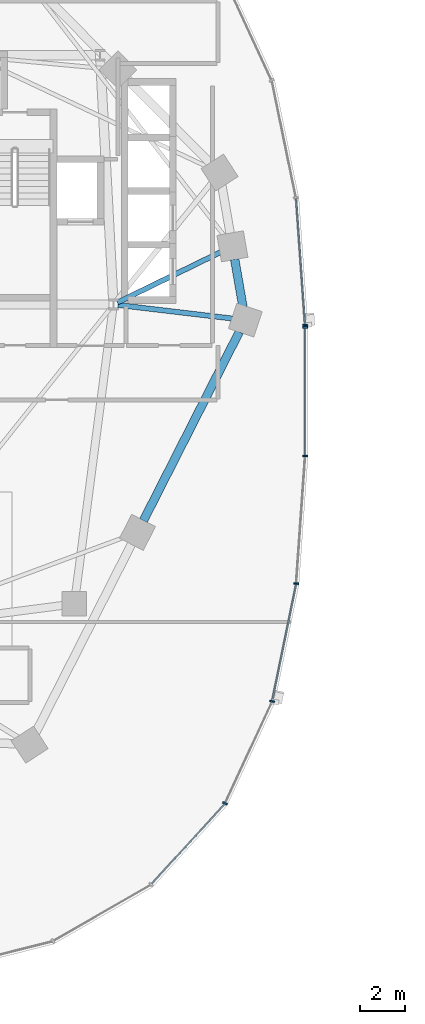
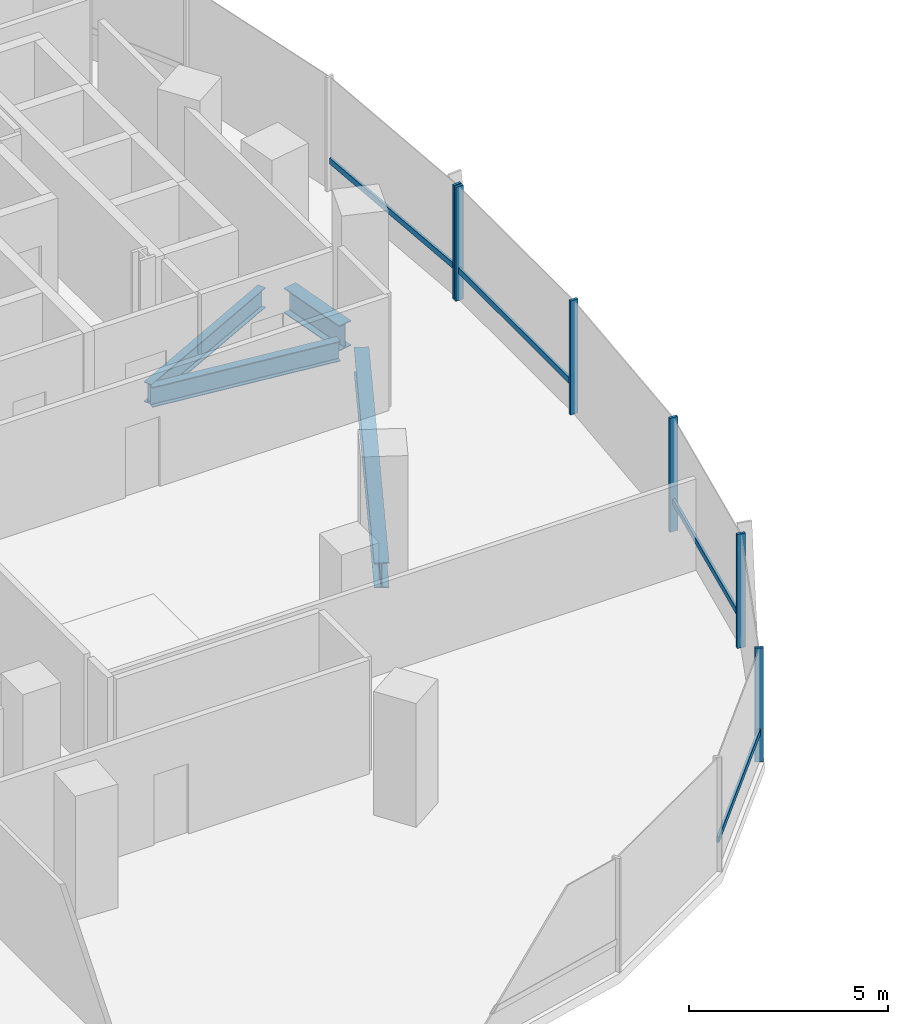
# One storey, part 3 of 21: 10 members, 4 beams, 2 elements without a shape of their own.
"""IFC4 building model written with IfcOpenShell, lengths in metres."""

from ifc_helpers import new_model, si_unit, direction, frame, origin, origin_2d, place, context, subcontext, project, spatial, rectangle, i_section, extrude, material, material_profile, profile_set, type_object, element, aggregate, save


model = new_model("IFC4")

# Units and contexts
model_context = context("Model", 3, precision=1e-05, world=origin(), true_north=direction((0.0, 1.0)))
body_context = subcontext(model_context, "Body", "Model", "MODEL_VIEW")
ifc_project = project(units=[si_unit("LENGTHUNIT", "METRE"), si_unit("AREAUNIT", "SQUARE_METRE"), si_unit("VOLUMEUNIT", "CUBIC_METRE"), si_unit("PLANEANGLEUNIT", "RADIAN"), si_unit("MASSUNIT", "GRAM", prefix="KILO"), si_unit("THERMODYNAMICTEMPERATUREUNIT", "KELVIN"), si_unit("POWERUNIT", "WATT")], contexts=[model_context])

# Site, building, storey
site_placement = place(None, origin())
site = spatial("IfcSite", under=ifc_project, at=site_placement, CompositionType="ELEMENT")
building_placement = place(site_placement, origin())
building = spatial("IfcBuilding", under=site, at=building_placement, Name="Cundina Bronze Exchange", CompositionType="ELEMENT")
storey_placement = place(building_placement, frame((0.0, 0.0, 46.800048828125)))
storey = spatial("IfcBuildingStorey", under=building, at=storey_placement, Name="L11", CompositionType="ELEMENT", Elevation=46.800048828125)

# Beams
ifc_material_1 = material(Name="Steel ASTM A992 Grade 50", Category="steel")
ifc_material_profile_1 = material_profile(ifc_material_1, i_section(OverallWidth=0.22998046875, OverallDepth=0.616943359375, WebThickness=0.01318359375, FlangeThickness=0.022216796875, FilletRadius=0.013916015625, at=origin_2d()), Name="W24X94", Category="steel")
ifc_profile_set_1 = profile_set([ifc_material_profile_1], Name="Steel ASTM A992 Grade 50")
beam_type_1 = type_object("IfcBeamType", Name="BM-FLR-W24B", PredefinedType="BEAM", material=ifc_profile_set_1)
beam_1_placement = place(storey_placement, frame((-21.247314453125, 3.8759765625, -0.608642578125), z_axis=(0.993035236117, -0.117817739878, 0.0), x_axis=(0.117817739878, 0.993035236117, 0.0)))
element("IfcBeam", 1, at=beam_1_placement, inside=storey, type_object=beam_type_1, Name="L11 Leg W Radial Floor Beam 00", PredefinedType="BEAM", context=body_context, shape_type="SweptSolid", body=[
    extrude(i_section(OverallWidth=0.22998046875, OverallDepth=0.616943359375, WebThickness=0.01318359375, FlangeThickness=0.022216796875, FilletRadius=0.013916015625, at=origin_2d()), origin(), (0.0, 0.0, 1.0), 5.1494140625),
])
beam_2_placement = place(storey_placement, frame((-21.2666015625, 3.989501953125, -0.608642578125), z_axis=(0.898610249448, 0.438747785849, 0.0), x_axis=(-0.438747785849, 0.898610249448, 0.0)))
element("IfcBeam", 2, at=beam_2_placement, inside=storey, type_object=beam_type_1, Name="L11 Leg W Radial Floor Beam 01", PredefinedType="BEAM", context=body_context, shape_type="SweptSolid", body=[
    extrude(i_section(OverallWidth=0.22998046875, OverallDepth=0.616943359375, WebThickness=0.01318359375, FlangeThickness=0.022216796875, FilletRadius=0.013916015625, at=origin_2d()), origin(), (0.0, 0.0, 1.0), 5.1337890625),
])
ifc_material_profile_2 = material_profile(ifc_material_1, i_section(OverallWidth=0.381103515625, OverallDepth=0.77294921875, WebThickness=0.0166015625, FlangeThickness=0.027099609375, FilletRadius=0.01904296875, at=origin_2d()), Name="W30X173", Category="steel")
ifc_profile_set_2 = profile_set([ifc_material_profile_2], Name="Steel ASTM A992 Grade 50")
beam_type_2 = type_object("IfcBeamType", Name="BM-RING-W30", PredefinedType="USERDEFINED", material=ifc_profile_set_2)
beam_3_placement = place(storey_placement, frame((-15.65087890625, 3.779296875, -0.6865234375), z_axis=(-0.171734584051, 0.985143254883, 0.0), x_axis=(-0.985143254883, -0.171734584051, 0.0)))
element("IfcBeam", 3, at=beam_3_placement, inside=storey, type_object=beam_type_2, Name="L11 W Perimeter Ring Girder 00", ObjectType="GIRDER", PredefinedType="USERDEFINED", context=body_context, shape_type="SweptSolid", body=[
    extrude(i_section(OverallWidth=0.381103515625, OverallDepth=0.77294921875, WebThickness=0.0166015625, FlangeThickness=0.027099609375, FilletRadius=0.01904296875, at=origin_2d()), origin(), (0.0, 0.0, 1.0), 2.173583984375),
])
beam_4_placement = place(storey_placement, frame((-20.108642578125, -5.775634765625, -0.6865234375), z_axis=(0.452819633606, 0.891602141889, 0.0), x_axis=(-0.891602141889, 0.452819633606, 0.0)))
element("IfcBeam", 4, at=beam_4_placement, inside=storey, type_object=beam_type_2, Name="L11 W Perimeter Ring Girder 13", ObjectType="GIRDER", PredefinedType="USERDEFINED", context=body_context, shape_type="SweptSolid", body=[
    extrude(i_section(OverallWidth=0.381103515625, OverallDepth=0.77294921875, WebThickness=0.0166015625, FlangeThickness=0.027099609375, FilletRadius=0.01904296875, at=origin_2d()), origin(), (0.0, 0.0, 1.0), 9.47900390625),
])

# Curtain wall, member
ifc_material_2 = material(Name="Anodised Bronze Aluminium 6063-T6", Category="aluminium")
curtain_wall_type = type_object("IfcCurtainWallType", Name="CWS-TRD-LOW", PredefinedType="NOTDEFINED", material=ifc_material_2)
curtain_wall_1_placement = place(storey_placement, origin())
curtain_wall_1 = element("IfcCurtainWall", 5, at=curtain_wall_1_placement, inside=storey, type_object=curtain_wall_type, Name="L11 CW-02 Curtain Wall Run CWR-L11-W1", PredefinedType="NOTDEFINED")
ifc_material_profile_3 = material_profile(ifc_material_2, rectangle(XDim=0.074951171875, YDim=0.219970703125, at=origin_2d()), Name="AL75X220", Category="aluminium")
ifc_profile_set_3 = profile_set([ifc_material_profile_3], Name="Anodised Bronze Aluminium 6063-T6")
member_type_1 = type_object("IfcMemberType", Name="CWM-MUL-220", PredefinedType="MULLION", material=ifc_profile_set_3)
member_1_placement = place(storey_placement, frame((-12.87548828125, 2.976318359375, 0.0), z_axis=(0.0, 0.0, 1.0), x_axis=(-0.070278787473, 0.997527389113, 0.0)))
member_1 = element("IfcMember", 6, at=member_1_placement, type_object=member_type_1, Name="CW-02 Mullion 1", PredefinedType="MULLION", context=body_context, shape_type="SweptSolid", body=[
    extrude(rectangle(XDim=0.074951171875, YDim=0.219970703125, at=origin_2d()), origin(), (0.0, 0.0, 1.0), 3.5),
])

# Curtain wall, members
curtain_wall_2_placement = place(storey_placement, origin())
curtain_wall_2 = element("IfcCurtainWall", 7, at=curtain_wall_2_placement, inside=storey, type_object=curtain_wall_type, Name="L11 CW-02 Curtain Wall Run CWR-L11-W4", PredefinedType="NOTDEFINED")
member_2_placement = place(storey_placement, frame((-16.455810546875, -18.423583984375, 0.0), z_axis=(0.0, 0.0, 1.0), x_axis=(0.42087749791, 0.907117485088, 0.0)))
member_2 = element("IfcMember", 8, at=member_2_placement, type_object=member_type_1, Name="CW-02 Mullion 4", PredefinedType="MULLION", context=body_context, shape_type="SweptSolid", body=[
    extrude(rectangle(XDim=0.074951171875, YDim=0.219970703125, at=origin_2d()), origin(), (0.0, 0.0, 1.0), 3.5),
])
member_3_placement = place(storey_placement, frame((-14.348876953125, -13.861328125, 0.0), z_axis=(0.0, 0.0, 1.0), x_axis=(0.201419845156, 0.979505000486, 0.0)))
member_3 = element("IfcMember", 9, at=member_3_placement, type_object=member_type_1, Name="CW-02 Mullion 5", PredefinedType="MULLION", context=body_context, shape_type="SweptSolid", body=[
    extrude(rectangle(XDim=0.074951171875, YDim=0.219970703125, at=origin_2d()), origin(), (0.0, 0.0, 1.0), 3.5),
])
member_4_placement = place(storey_placement, frame((-13.27099609375, -8.591552734375, 0.0), z_axis=(0.0, 0.0, 1.0), x_axis=(0.070278787473, 0.997527389113, 0.0)))
member_4 = element("IfcMember", 10, at=member_4_placement, type_object=member_type_1, Name="CW-02 Mullion 6", PredefinedType="MULLION", context=body_context, shape_type="SweptSolid", body=[
    extrude(rectangle(XDim=0.074951171875, YDim=0.219970703125, at=origin_2d()), origin(), (0.0, 0.0, 1.0), 3.5),
])
member_5_placement = place(storey_placement, frame((-12.8720703125, -2.880615234375, 0.0), z_axis=(0.0, 0.0, 1.0), x_axis=(0.0, 1.0, 0.0)))
member_5 = element("IfcMember", 11, at=member_5_placement, type_object=member_type_1, Name="CW-02 Mullion 7", PredefinedType="MULLION", context=body_context, shape_type="SweptSolid", body=[
    extrude(rectangle(XDim=0.074951171875, YDim=0.219970703125, at=origin_2d()), origin(), (0.0, 0.0, 1.0), 3.5),
])
member_6_placement = place(storey_placement, frame((-12.8720703125, 2.880615234375, 0.0), z_axis=(0.0, 0.0, 1.0), x_axis=(0.0, 1.0, 0.0)))
member_6 = element("IfcMember", 12, at=member_6_placement, type_object=member_type_1, Name="CW-02 End Mullion", PredefinedType="MULLION", context=body_context, shape_type="SweptSolid", body=[
    extrude(rectangle(XDim=0.074951171875, YDim=0.219970703125, at=origin_2d()), origin(), (0.0, 0.0, 1.0), 3.5),
])

# Member
ifc_material_profile_4 = material_profile(ifc_material_2, rectangle(XDim=0.070068359375, YDim=0.179931640625, at=origin_2d()), Name="AL70X180", Category="aluminium")
ifc_profile_set_4 = profile_set([ifc_material_profile_4], Name="Anodised Bronze Aluminium 6063-T6")
member_type_2 = type_object("IfcMemberType", Name="CWM-TRN-180", PredefinedType="USERDEFINED", material=ifc_profile_set_4)
member_7_placement = place(storey_placement, frame((-12.87841796875, 3.017333984375, 0.919921875), z_axis=(-0.070260714471, 0.997528662246, 0.0), x_axis=(-0.997528662246, -0.070260714471, 0.0)))
member_7 = element("IfcMember", 13, at=member_7_placement, type_object=member_type_2, Name="CW-02 Spandrel Transom 1", ObjectType="TRANSOM", PredefinedType="USERDEFINED", context=body_context, shape_type="SweptSolid", body=[
    extrude(rectangle(XDim=0.070068359375, YDim=0.179931640625, at=origin_2d()), origin(), (0.0, 0.0, 1.0), 5.629150390625),
])

aggregate(curtain_wall_1, [member_1, member_7])

member_8_placement = place(storey_placement, frame((-19.73291015625, -22.027099609375, 0.919921875), z_axis=(0.674302794847, 0.738454968743, 0.0), x_axis=(-0.738454968743, 0.674302794847, 0.0)))
member_8 = element("IfcMember", 14, at=member_8_placement, type_object=member_type_2, Name="CW-02 Spandrel Transom 3", ObjectType="TRANSOM", PredefinedType="USERDEFINED", context=body_context, shape_type="SweptSolid", body=[
    extrude(rectangle(XDim=0.070068359375, YDim=0.179931640625, at=origin_2d()), origin(), (0.0, 0.0, 1.0), 4.848388671875),
])

member_9_placement = place(storey_placement, frame((-14.340576171875, -13.821044921875, 0.919921875), z_axis=(0.201427712708, 0.979503382615, 0.0), x_axis=(-0.979503382615, 0.201427712708, 0.0)))
member_9 = element("IfcMember", 15, at=member_9_placement, type_object=member_type_2, Name="CW-02 Spandrel Transom 5", ObjectType="TRANSOM", PredefinedType="USERDEFINED", context=body_context, shape_type="SweptSolid", body=[
    extrude(rectangle(XDim=0.070068359375, YDim=0.179931640625, at=origin_2d()), origin(), (0.0, 0.0, 1.0), 5.291748046875),
])

member_10_placement = place(storey_placement, frame((-12.8720703125, -2.839111328125, 0.919921875), z_axis=(0.0, 1.0, 0.0), x_axis=(-1.0, 0.0, 0.0)))
member_10 = element("IfcMember", 16, at=member_10_placement, type_object=member_type_2, Name="CW-02 Spandrel Transom 7", ObjectType="TRANSOM", PredefinedType="USERDEFINED", context=body_context, shape_type="SweptSolid", body=[
    extrude(rectangle(XDim=0.070068359375, YDim=0.179931640625, at=origin_2d()), origin(), (0.0, 0.0, 1.0), 5.67822265625),
])

aggregate(curtain_wall_2, [member_8, member_2, member_3, member_9, member_4, member_5, member_6, member_10])

save(model, "model.ifc")
